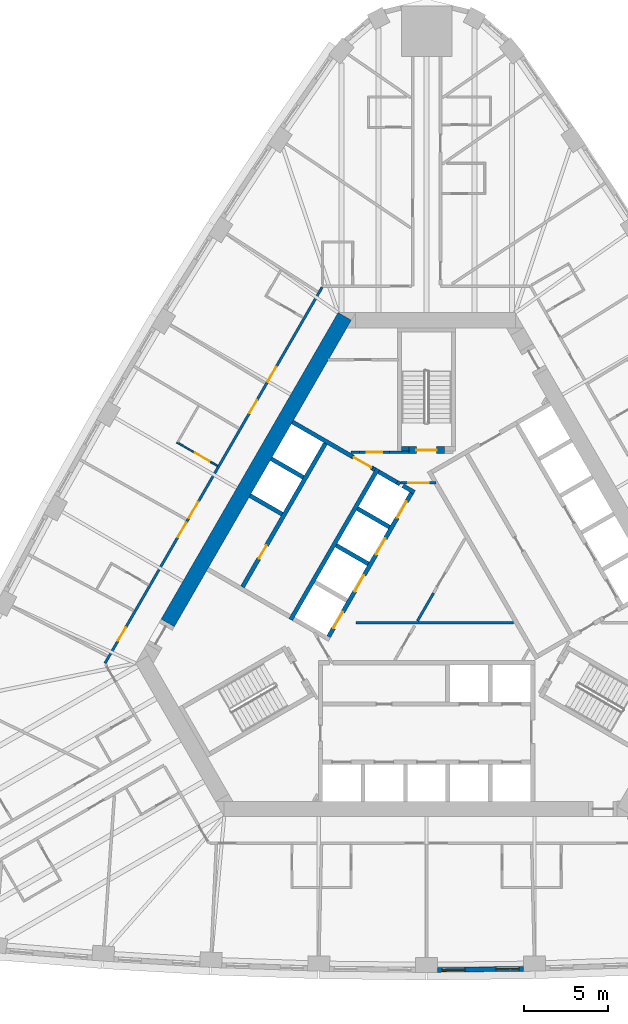
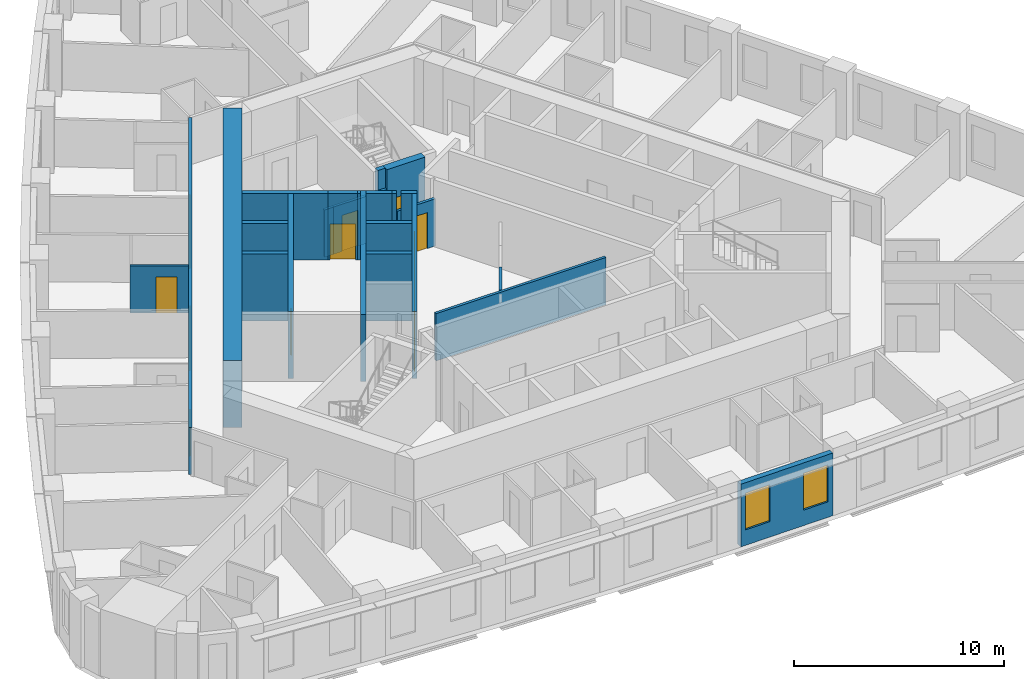
# One storey, part 6 of 13: 25 walls, 15 doors, 2 windows, 17 openings.
"""IFC4 building model written with IfcOpenShell, lengths in metres."""

from ifc_helpers import new_model, si_unit, direction, frame, frame_2d, origin, place, context, subcontext, project, spatial, polyline, rectangle, outline, extrude, material, layer, layer_set, type_object, element, fill, save


model = new_model("IFC4")

# Units and contexts
model_context = context("Model", 3, precision=1e-05, world=origin(), true_north=direction((0.0, 1.0)))
body_context = subcontext(model_context, "Body", "Model", "MODEL_VIEW")
ifc_project = project(units=[si_unit("LENGTHUNIT", "METRE"), si_unit("AREAUNIT", "SQUARE_METRE"), si_unit("VOLUMEUNIT", "CUBIC_METRE"), si_unit("PLANEANGLEUNIT", "RADIAN"), si_unit("MASSUNIT", "GRAM", prefix="KILO")], contexts=[model_context])

# Site, building, storey
site_placement = place(None, origin())
site = spatial("IfcSite", under=ifc_project, at=site_placement, CompositionType="ELEMENT")
building_placement = place(site_placement, origin())
building = spatial("IfcBuilding", under=site, at=building_placement, Name="Mestral Congress Tower", CompositionType="ELEMENT")
storey_placement = place(building_placement, frame((0.0, 0.0, 99.300048828125)))
storey = spatial("IfcBuildingStorey", under=building, at=storey_placement, Name="L23", CompositionType="ELEMENT", Elevation=99.300048828125)

# Walls
ifc_material_1 = material(Name="Fire-rated board partition")
ifc_layer_1 = layer(ifc_material_1, 0.14990234375)
ifc_layer_set_1 = layer_set([ifc_layer_1], Name="Fire-rated board partition")
wall_type_1 = type_object("IfcWallType", Name="Core partition 150", PredefinedType="PARTITIONING", material=ifc_layer_set_1)
wall_1_placement = place(storey_placement, frame((-3.99658203125, 8.625244140625, 0.0), z_axis=(0.0, 0.0, 1.0), x_axis=(-1.0, 0.0, 0.0)))
element("IfcWall", 1, at=wall_1_placement, inside=storey, type_object=wall_type_1, Name="L23 core wall", PredefinedType="PARTITIONING", context=body_context, shape_type="SweptSolid", body=[
    extrude(rectangle(XDim=0.502197265625, YDim=0.14990234375, at=frame_2d((0.2509765625, 0.0))), origin(), (0.0, 0.0, 1.0), 2.75),
])
wall_2_placement = place(storey_placement, frame((-2.1962890625, 8.62548828125, 0.0), z_axis=(0.0, 0.0, 1.0), x_axis=(1.0, 0.0, 0.0)))
element("IfcWall", 2, at=wall_2_placement, inside=storey, type_object=wall_type_1, Name="L23 core wall", PredefinedType="PARTITIONING", context=body_context, shape_type="SweptSolid", body=[
    extrude(rectangle(XDim=1.146240234375, YDim=0.14990234375, at=frame_2d((0.5732421875, 0.0))), origin(), (0.0, 0.0, 1.0), 2.75),
])
wall_3_placement = place(storey_placement, frame((-4.199951171875, -1.5, 0.0), z_axis=(0.0, 0.0, 1.0), x_axis=(1.0, 0.0, 0.0)))
element("IfcWall", 3, at=wall_3_placement, inside=storey, type_object=wall_type_1, Name="L23 core wall", PredefinedType="PARTITIONING", context=body_context, shape_type="SweptSolid", body=[
    extrude(rectangle(XDim=9.359375, YDim=0.14990234375, at=frame_2d((4.6796875, 0.0))), origin(), (0.0, 0.0, 1.0), 2.75),
])
wall_4_placement = place(storey_placement, frame((-0.54443359375, -1.393310546875, 0.0), z_axis=(0.0, 0.0, 1.0), x_axis=(0.499928740635, 0.866066541489, 0.0)))
element("IfcWall", 4, at=wall_4_placement, inside=storey, type_object=wall_type_1, Name="L23 core wall", PredefinedType="PARTITIONING", context=body_context, shape_type="SweptSolid", body=[
    extrude(rectangle(XDim=1.912353515625, YDim=0.14990234375, at=frame_2d((0.9560546875, 0.0))), origin(), (0.0, 0.0, 1.0), 2.75),
])

# Wall, opening, door
wall_5_placement = place(storey_placement, frame((-2.1962890625, 8.625, 0.0), z_axis=(0.0, 0.0, 1.0), x_axis=(-1.0, 0.0, 0.0)))
wall_5 = element("IfcWall", 5, at=wall_5_placement, inside=storey, type_object=wall_type_1, Name="L23 door wall", PredefinedType="PARTITIONING", context=body_context, shape_type="SweptSolid", body=[
    extrude(rectangle(XDim=1.800048828125, YDim=0.14990234375, at=frame_2d((0.89990234375, 0.0))), origin(), (0.0, 0.0, 1.0), 2.75),
])
opening_1_placement = place(wall_5_placement, frame((0.449951171875, 0.0, 0.0)))
opening_1 = element("IfcOpeningElement", 6, at=opening_1_placement, cuts=wall_5, Name="Opening TD2", PredefinedType="OPENING", context=body_context, shape_type="SweptSolid", body=[
    extrude(rectangle(XDim=0.89990234375, YDim=2.10009765625, at=frame_2d((0.449951171875, 1.050048828125))), frame((0.0, 0.0849609375, 0.0), z_axis=(0.0, -1.0, 0.0), x_axis=(1.0, 0.0, 0.0)), (0.0, 0.0, 1.0), 0.169921875),
])
ifc_material_2 = material(Name="Fire-rated steel door set", Category="steel")
door_type_1 = type_object("IfcDoorType", Name="Core door SR 900x2100", OperationType="SINGLE_SWING_LEFT", PredefinedType="DOOR", material=ifc_material_2)
door_1_placement = place(opening_1_placement, origin())
door_1 = element("IfcDoor", 7, at=door_1_placement, inside=storey, type_object=door_type_1, Name="Door TD2", OperationType="SINGLE_SWING_LEFT", OverallHeight=2.10009765625, OverallWidth=0.89990234375, PredefinedType="DOOR", context=body_context, shape_type="SweptSolid", body=[
    extrude(rectangle(XDim=0.89990234375, YDim=2.10009765625, at=frame_2d((0.449951171875, 1.050048828125))), frame((0.0, 0.02490234375, 0.0), z_axis=(0.0, -1.0, 0.0), x_axis=(1.0, 0.0, 0.0)), (0.0, 0.0, 1.0), 0.050048828125),
])
fill(opening_1, door_1)

wall_6_placement = place(storey_placement, frame((-1.534423828125, 6.800048828125, 0.0), z_axis=(0.0, 0.0, 1.0), x_axis=(1.0, 0.0, 0.0)))
wall_6 = element("IfcWall", 8, at=wall_6_placement, inside=storey, type_object=wall_type_1, Name="L23 door wall", PredefinedType="PARTITIONING", context=body_context, shape_type="SweptSolid", body=[
    extrude(rectangle(XDim=2.099853515625, YDim=0.14990234375, at=frame_2d((1.0498046875, 0.0))), origin(), (0.0, 0.0, 1.0), 2.75),
])
opening_2_placement = place(wall_6_placement, frame((0.449951171875, 0.0, 0.0)))
opening_2 = element("IfcOpeningElement", 9, at=opening_2_placement, cuts=wall_6, Name="Opening CD2-FF", PredefinedType="OPENING", context=body_context, shape_type="SweptSolid", body=[
    extrude(rectangle(XDim=1.199951171875, YDim=2.10009765625, at=frame_2d((0.60009765625, 1.050048828125))), frame((0.0, 0.0849609375, 0.0), z_axis=(0.0, -1.0, 0.0), x_axis=(1.0, 0.0, 0.0)), (0.0, 0.0, 1.0), 0.169921875),
])
door_type_2 = type_object("IfcDoorType", Name="Core door CD 1200x2100", OperationType="SINGLE_SWING_LEFT", PredefinedType="DOOR", material=ifc_material_2)
door_2_placement = place(opening_2_placement, origin())
door_2 = element("IfcDoor", 10, at=door_2_placement, inside=storey, type_object=door_type_2, Name="Door CD2-FF", OperationType="SINGLE_SWING_LEFT", OverallHeight=2.10009765625, OverallWidth=1.199951171875, PredefinedType="DOOR", context=body_context, shape_type="SweptSolid", body=[
    extrude(rectangle(XDim=1.199951171875, YDim=2.10009765625, at=frame_2d((0.60009765625, 1.050048828125))), frame((0.0, 0.02490234375, 0.0), z_axis=(0.0, -1.0, 0.0), x_axis=(1.0, 0.0, 0.0)), (0.0, 0.0, 1.0), 0.050048828125),
])
fill(opening_2, door_2)

# Wall
ifc_material_3 = material(Name="Concrete C60/75", Category="concrete")
ifc_layer_2 = layer(ifc_material_3, 0.89990234375)
ifc_layer_set_2 = layer_set([ifc_layer_2], Name="Concrete C60/75")
wall_type_2 = type_object("IfcWallType", Name="Core wall RC 900", PredefinedType="SOLIDWALL", material=ifc_layer_set_2)
wall_7_placement = place(storey_placement, frame((-15.359619140625, -1.50341796875, 0.0), z_axis=(0.0, 0.0, 1.0), x_axis=(0.50000389221, 0.866023156604, 0.0)))
element("IfcWall", 11, at=wall_7_placement, inside=storey, type_object=wall_type_2, Name="L23 core wall", PredefinedType="SOLIDWALL", context=body_context, shape_type="SweptSolid", body=[
    extrude(rectangle(XDim=21.000244140625, YDim=0.89990234375, at=frame_2d((10.5, 0.0))), origin(), (0.0, 0.0, 1.0), 3.89990234375),
])

# Wall, openings, windows
ifc_material_4 = material(Name="Precast concrete C40/50 with limestone facing", Category="masonry")
ifc_layer_3 = layer(ifc_material_4, 0.2900390625)
ifc_layer_set_3 = layer_set([ifc_layer_3], Name="Precast concrete C40/50 with limestone facing")
wall_type_3 = type_object("IfcWallType", Name="Facade stone wall 290", PredefinedType="SOLIDWALL", material=ifc_layer_set_3)
wall_8_placement = place(storey_placement, frame((0.6533203125, -22.091064453125, 0.0), z_axis=(0.0, 0.0, 1.0), x_axis=(0.999931786565, 0.011679992145, 0.0)))
wall_8 = element("IfcWall", 12, at=wall_8_placement, inside=storey, type_object=wall_type_3, Name="Facade wall F0-04", PredefinedType="SOLIDWALL", context=body_context, shape_type="SweptSolid", body=[
    extrude(rectangle(XDim=5.10009765625, YDim=0.2900390625, at=frame_2d((2.550048828125, 0.0))), origin(), (0.0, 0.0, 1.0), 3.64990234375),
])
opening_3_placement = place(wall_8_placement, frame((0.272705078125, 0.0, 0.89990234375)))
opening_3 = element("IfcOpeningElement", 13, at=opening_3_placement, cuts=wall_8, Name="Opening W2", PredefinedType="OPENING", context=body_context, shape_type="SweptSolid", body=[
    extrude(rectangle(XDim=1.35009765625, YDim=2.14990234375, at=frame_2d((0.675048828125, 1.074951171875))), frame((0.0, 0.155029296875, 0.0), z_axis=(0.0, -1.0, 0.0), x_axis=(1.0, 0.0, 0.0)), (0.0, 0.0, 1.0), 0.31005859375),
])
opening_4_placement = place(wall_8_placement, frame((3.477783203125, 0.0, 0.89990234375)))
opening_4 = element("IfcOpeningElement", 14, at=opening_4_placement, cuts=wall_8, Name="Opening W2", PredefinedType="OPENING", context=body_context, shape_type="SweptSolid", body=[
    extrude(rectangle(XDim=1.35009765625, YDim=2.14990234375, at=frame_2d((0.675048828125, 1.074951171875))), frame((0.0, 0.155029296875, 0.0), z_axis=(0.0, -1.0, 0.0), x_axis=(1.0, 0.0, 0.0)), (0.0, 0.0, 1.0), 0.31005859375),
])
ifc_material_5 = material(Name="Clear low-emissivity double glazing", Category="glass")
window_type = type_object("IfcWindowType", Name="Facade punched window 1350 x 2150 sill 900", PartitioningType="DOUBLE_PANEL_VERTICAL", PredefinedType="WINDOW", material=ifc_material_5)
window_1_placement = place(opening_3_placement, origin())
window_1 = element("IfcWindow", 15, at=window_1_placement, inside=storey, type_object=window_type, Name="Window F0-04a", OverallHeight=2.14990234375, OverallWidth=1.35009765625, PartitioningType="DOUBLE_PANEL_VERTICAL", PredefinedType="WINDOW", context=body_context, shape_type="SweptSolid", body=[
    extrude(rectangle(XDim=1.35009765625, YDim=2.14990234375, at=frame_2d((0.675048828125, 1.074951171875))), frame((0.0, 0.01513671875, 0.0), z_axis=(0.0, -1.0, 0.0), x_axis=(1.0, 0.0, 0.0)), (0.0, 0.0, 1.0), 0.06005859375),
])
fill(opening_3, window_1)
window_2_placement = place(opening_4_placement, origin())
window_2 = element("IfcWindow", 16, at=window_2_placement, inside=storey, type_object=window_type, Name="Window F0-04b", OverallHeight=2.14990234375, OverallWidth=1.35009765625, PartitioningType="DOUBLE_PANEL_VERTICAL", PredefinedType="WINDOW", context=body_context, shape_type="SweptSolid", body=[
    extrude(rectangle(XDim=1.35009765625, YDim=2.14990234375, at=frame_2d((0.675048828125, 1.074951171875))), frame((0.0, 0.01513671875, 0.0), z_axis=(0.0, -1.0, 0.0), x_axis=(1.0, 0.0, 0.0)), (0.0, 0.0, 1.0), 0.06005859375),
])
fill(opening_4, window_2)

# Wall, opening, door
ifc_material_6 = material(Name="Gypsum board partition on metal studs with mineral wool", Category="composite")
ifc_layer_4 = layer(ifc_material_6, 0.10009765625)
ifc_layer_set_4 = layer_set([ifc_layer_4], Name="Gypsum board partition on metal studs with mineral wool")
wall_type_4 = type_object("IfcWallType", Name="Hotel partition wall 100", PredefinedType="PARTITIONING", material=ifc_layer_set_4)
wall_9_placement = place(storey_placement, frame((-14.830322265625, 9.213134765625, 0.0), z_axis=(0.0, 0.0, 1.0), x_axis=(0.866034573852, -0.49998411664, 0.0)))
wall_9 = element("IfcWall", 17, at=wall_9_placement, inside=storey, type_object=wall_type_4, Name="L23-h-pod22a", PredefinedType="PARTITIONING", context=body_context, shape_type="SweptSolid", body=[
    extrude(rectangle(XDim=2.7998046875, YDim=0.10009765625, at=frame_2d((1.39990234375, 0.0))), origin(), (0.0, 0.0, 1.0), 2.75),
])
opening_5_placement = place(wall_9_placement, frame((1.25, 0.0, 0.0)))
opening_5 = element("IfcOpeningElement", 18, at=opening_5_placement, cuts=wall_9, Name="Opening H07-042", PredefinedType="OPENING", context=body_context, shape_type="SweptSolid", body=[
    extrude(rectangle(XDim=1.0, YDim=2.10009765625, at=frame_2d((0.5, 1.050048828125))), frame((0.0, 0.06005859375, 0.0), z_axis=(0.0, -1.0, 0.0), x_axis=(1.0, 0.0, 0.0)), (0.0, 0.0, 1.0), 0.1201171875),
])
ifc_material_7 = material(Name="Timber veneer door leaf in timber frame", Category="wood")
door_type_3 = type_object("IfcDoorType", Name="Accessible bathroom door 1000", OperationType="SINGLE_SWING_LEFT", PredefinedType="DOOR", material=ifc_material_7)
door_3_placement = place(opening_5_placement, origin())
door_3 = element("IfcDoor", 19, at=door_3_placement, inside=storey, type_object=door_type_3, Name="L23-h-d042", OperationType="SINGLE_SWING_LEFT", OverallHeight=2.10009765625, OverallWidth=1.0, PredefinedType="DOOR", context=body_context, shape_type="SweptSolid", body=[
    extrude(rectangle(XDim=1.0, YDim=2.10009765625, at=frame_2d((0.5, 1.050048828125))), frame((0.0, 0.02490234375, 0.0), z_axis=(0.0, -1.0, 0.0), x_axis=(1.0, 0.0, 0.0)), (0.0, 0.0, 1.0), 0.050048828125),
])
fill(opening_5, door_3)

# Wall, openings, doors
ifc_layer_5 = layer(ifc_material_6, 0.14990234375)
ifc_layer_set_5 = layer_set([ifc_layer_5], Name="Gypsum board partition on metal studs with mineral wool")
wall_type_5 = type_object("IfcWallType", Name="Hotel partition wall 150", PredefinedType="PARTITIONING", material=ifc_layer_set_5)
wall_10_placement = place(storey_placement, frame((-19.081298828125, -3.89990234375, 0.0), z_axis=(0.0, 0.0, 1.0), x_axis=(0.499998313975, 0.866026377209, 0.0)))
wall_10 = element("IfcWall", 20, at=wall_10_placement, inside=storey, type_object=wall_type_5, Name="L23-h-cw08", PredefinedType="PARTITIONING", context=body_context, shape_type="SweptSolid", body=[
    extrude(rectangle(XDim=25.76611328125, YDim=0.14990234375, at=frame_2d((12.883056640625, 0.0))), origin(), (0.0, 0.0, 1.0), 2.75),
])
opening_6_placement = place(wall_10_placement, frame((19.30615234375, 0.0, 0.0)))
opening_6 = element("IfcOpeningElement", 21, at=opening_6_placement, cuts=wall_10, Name="Opening H07-038", PredefinedType="OPENING", context=body_context, shape_type="SweptSolid", body=[
    extrude(rectangle(XDim=1.0, YDim=2.10009765625, at=frame_2d((0.5, 1.050048828125))), frame((0.0, 0.0849609375, 0.0), z_axis=(0.0, -1.0, 0.0), x_axis=(1.0, 0.0, 0.0)), (0.0, 0.0, 1.0), 0.169921875),
])
opening_7_placement = place(wall_10_placement, frame((17.143798828125, 0.0, 0.0)))
opening_7 = element("IfcOpeningElement", 22, at=opening_7_placement, cuts=wall_10, Name="Opening H07-040", PredefinedType="OPENING", context=body_context, shape_type="SweptSolid", body=[
    extrude(rectangle(XDim=0.89990234375, YDim=2.10009765625, at=frame_2d((0.449951171875, 1.050048828125))), frame((0.0, 0.0849609375, 0.0), z_axis=(0.0, -1.0, 0.0), x_axis=(1.0, 0.0, 0.0)), (0.0, 0.0, 1.0), 0.169921875),
])
opening_8_placement = place(wall_10_placement, frame((9.955078125, 0.0, 0.0)))
opening_8 = element("IfcOpeningElement", 23, at=opening_8_placement, cuts=wall_10, Name="Opening H07-041", PredefinedType="OPENING", context=body_context, shape_type="SweptSolid", body=[
    extrude(rectangle(XDim=1.10009765625, YDim=2.10009765625, at=frame_2d((0.550048828125, 1.050048828125))), frame((0.0, 0.0849609375, 0.0), z_axis=(0.0, -1.0, 0.0), x_axis=(1.0, 0.0, 0.0)), (0.0, 0.0, 1.0), 0.169921875),
])
opening_9_placement = place(wall_10_placement, frame((8.647705078125, 0.0, 0.0)))
opening_9 = element("IfcOpeningElement", 24, at=opening_9_placement, cuts=wall_10, Name="Opening H07-043", PredefinedType="OPENING", context=body_context, shape_type="SweptSolid", body=[
    extrude(rectangle(XDim=1.0, YDim=2.10009765625, at=frame_2d((0.5, 1.050048828125))), frame((0.0, 0.0849609375, 0.0), z_axis=(0.0, -1.0, 0.0), x_axis=(1.0, 0.0, 0.0)), (0.0, 0.0, 1.0), 0.169921875),
])
opening_10_placement = place(wall_10_placement, frame((1.553466796875, 0.0, 0.0)))
opening_10 = element("IfcOpeningElement", 25, at=opening_10_placement, cuts=wall_10, Name="Opening H07-045", PredefinedType="OPENING", context=body_context, shape_type="SweptSolid", body=[
    extrude(rectangle(XDim=0.89990234375, YDim=2.10009765625, at=frame_2d((0.449951171875, 1.050048828125))), frame((0.0, 0.0849609375, 0.0), z_axis=(0.0, -1.0, 0.0), x_axis=(1.0, 0.0, 0.0)), (0.0, 0.0, 1.0), 0.169921875),
])
ifc_material_8 = material(Name="Timber veneer door leaf in metal frame", Category="wood")
door_type_4 = type_object("IfcDoorType", Name="Accessible room entrance door 1100", OperationType="SINGLE_SWING_LEFT", PredefinedType="DOOR", material=ifc_material_8)
door_4_placement = place(opening_8_placement, origin())
door_4 = element("IfcDoor", 26, at=door_4_placement, inside=storey, type_object=door_type_4, Name="L23-h-d041", OperationType="SINGLE_SWING_LEFT", OverallHeight=2.10009765625, OverallWidth=1.10009765625, PredefinedType="DOOR", context=body_context, shape_type="SweptSolid", body=[
    extrude(rectangle(XDim=1.10009765625, YDim=2.10009765625, at=frame_2d((0.550048828125, 1.050048828125))), frame((0.0, 0.02490234375, 0.0), z_axis=(0.0, -1.0, 0.0), x_axis=(1.0, 0.0, 0.0)), (0.0, 0.0, 1.0), 0.050048828125),
])
fill(opening_8, door_4)
door_type_5 = type_object("IfcDoorType", Name="Guest room entrance door 1000", OperationType="SINGLE_SWING_LEFT", PredefinedType="DOOR", material=ifc_material_8)
door_5_placement = place(opening_6_placement, origin())
door_5 = element("IfcDoor", 27, at=door_5_placement, inside=storey, type_object=door_type_5, Name="L23-h-d038", OperationType="SINGLE_SWING_LEFT", OverallHeight=2.10009765625, OverallWidth=1.0, PredefinedType="DOOR", context=body_context, shape_type="SweptSolid", body=[
    extrude(rectangle(XDim=1.0, YDim=2.10009765625, at=frame_2d((0.5, 1.050048828125))), frame((0.0, 0.02490234375, 0.0), z_axis=(0.0, -1.0, 0.0), x_axis=(1.0, 0.0, 0.0)), (0.0, 0.0, 1.0), 0.050048828125),
])
fill(opening_6, door_5)
door_6_placement = place(opening_9_placement, origin())
door_6 = element("IfcDoor", 28, at=door_6_placement, inside=storey, type_object=door_type_5, Name="L23-h-d043", OperationType="SINGLE_SWING_RIGHT", OverallHeight=2.10009765625, OverallWidth=1.0, PredefinedType="DOOR", context=body_context, shape_type="SweptSolid", body=[
    extrude(rectangle(XDim=1.0, YDim=2.10009765625, at=frame_2d((0.5, 1.050048828125))), frame((0.0, 0.02490234375, 0.0), z_axis=(0.0, -1.0, 0.0), x_axis=(1.0, 0.0, 0.0)), (0.0, 0.0, 1.0), 0.050048828125),
])
fill(opening_9, door_6)
door_type_6 = type_object("IfcDoorType", Name="Service room door 900", OperationType="SINGLE_SWING_LEFT", PredefinedType="DOOR", material=ifc_material_8)
door_7_placement = place(opening_7_placement, origin())
door_7 = element("IfcDoor", 29, at=door_7_placement, inside=storey, type_object=door_type_6, Name="L23-h-d040", OperationType="SINGLE_SWING_LEFT", OverallHeight=2.10009765625, OverallWidth=0.89990234375, PredefinedType="DOOR", context=body_context, shape_type="SweptSolid", body=[
    extrude(rectangle(XDim=0.89990234375, YDim=2.10009765625, at=frame_2d((0.449951171875, 1.050048828125))), frame((0.0, 0.02490234375, 0.0), z_axis=(0.0, -1.0, 0.0), x_axis=(1.0, 0.0, 0.0)), (0.0, 0.0, 1.0), 0.050048828125),
])
fill(opening_7, door_7)
door_8_placement = place(opening_10_placement, origin())
door_8 = element("IfcDoor", 30, at=door_8_placement, inside=storey, type_object=door_type_6, Name="L23-h-d045", OperationType="SINGLE_SWING_RIGHT", OverallHeight=2.10009765625, OverallWidth=0.89990234375, PredefinedType="DOOR", context=body_context, shape_type="SweptSolid", body=[
    extrude(rectangle(XDim=0.89990234375, YDim=2.10009765625, at=frame_2d((0.449951171875, 1.050048828125))), frame((0.0, 0.02490234375, 0.0), z_axis=(0.0, -1.0, 0.0), x_axis=(1.0, 0.0, 0.0)), (0.0, 0.0, 1.0), 0.050048828125),
])
fill(opening_10, door_8)

# Walls
ifc_layer_6 = layer(ifc_material_3, 0.25)
ifc_layer_set_6 = layer_set([ifc_layer_6], Name="Concrete C60/75")
wall_type_6 = type_object("IfcWallType", Name="Shaft wall RC 250", PredefinedType="SOLIDWALL", material=ifc_layer_set_6)
wall_11_placement = place(storey_placement, frame((-8.06005859375, -1.310546875, 0.0), z_axis=(0.0, 0.0, 1.0), x_axis=(0.50000273126, 0.866023826885, 0.0)))
element("IfcWall", 31, at=wall_11_placement, inside=storey, type_object=wall_type_6, Name="L23 core wall", PredefinedType="SOLIDWALL", context=body_context, shape_type="SweptSolid", body=[
    extrude(rectangle(XDim=10.330078125, YDim=0.25, at=frame_2d((5.1650390625, 0.0))), origin(), (0.0, 0.0, 1.0), 3.89990234375),
])
wall_12_placement = place(storey_placement, frame((-1.75830078125, 6.834716796875, 0.0), z_axis=(0.0, 0.0, 1.0), x_axis=(0.865982457891, -0.500074377092, 0.0)))
element("IfcWall", 32, at=wall_12_placement, inside=storey, type_object=wall_type_6, Name="L23 core wall", PredefinedType="SOLIDWALL", context=body_context, shape_type="SweptSolid", body=[
    extrude(rectangle(XDim=0.2001953125, YDim=0.25, at=frame_2d((0.10009765625, 0.0))), origin(), (0.0, 0.0, 1.0), 3.89990234375),
])
wall_13_placement = place(storey_placement, frame((-1.760009765625, 6.835693359375, 0.0), z_axis=(0.0, 0.0, 1.0), x_axis=(-0.865952863304, 0.500125622755, 0.0)))
element("IfcWall", 33, at=wall_13_placement, inside=storey, type_object=wall_type_6, Name="L23 core wall", PredefinedType="SOLIDWALL", context=body_context, shape_type="SweptSolid", body=[
    extrude(rectangle(XDim=1.258056640625, YDim=0.25, at=frame_2d((0.62890625, 0.0))), origin(), (0.0, 0.0, 1.0), 3.89990234375),
])
wall_14_placement = place(storey_placement, frame((-0.7275390625, 6.23974609375, 0.0), z_axis=(0.0, 0.0, 1.0), x_axis=(-0.865955664968, 0.500120771724, 0.0)))
element("IfcWall", 34, at=wall_14_placement, inside=storey, type_object=wall_type_6, Name="L23 core wall", PredefinedType="SOLIDWALL", context=body_context, shape_type="SweptSolid", body=[
    extrude(rectangle(XDim=0.778076171875, YDim=0.25, at=frame_2d((0.38916015625, 0.0))), origin(), (0.0, 0.0, 1.0), 3.89990234375),
])
for number, where, z_axis, x_axis, name in (
    (35, (-2.2041015625, 4.182373046875, 0.0), (0.0, 0.0, 1.0), (-0.866008176907, 0.50002983664, 0.0), "L23 core wall"),
    (36, (-5.369384765625, 3.10009765625, 0.0), (0.0, 0.0, 1.0), (0.866008176907, -0.50002983664, 0.0), "L23 core wall"),
):
    element("IfcWall", number, at=place(storey_placement, frame(where, z_axis=z_axis, x_axis=x_axis)), inside=storey, type_object=wall_type_6, Name=name, PredefinedType="SOLIDWALL", context=body_context, shape_type="SweptSolid", body=[
        extrude(rectangle(XDim=2.199951171875, YDim=0.25, at=frame_2d((1.10009765625, 0.0))), origin(), (0.0, 0.0, 1.0), 3.89990234375),
    ])
wall_15_placement = place(storey_placement, origin())
element("IfcWall", 37, at=wall_15_placement, inside=storey, type_object=wall_type_6, Name="L23 core wall", PredefinedType="SOLIDWALL", context=body_context, shape_type="SweptSolid", body=[
    extrude(outline(polyline([(-3.12841796875, 7.4814453125), (-3.2587890625, 7.556640625), (-3.1337890625, 7.773193359375), (-3.00341796875, 7.697998046875), (-3.12841796875, 7.4814453125)])), origin(), (0.0, 0.0, 1.0), 3.89990234375),
])
for number, where, z_axis, x_axis, name in (
    (38, (-8.57373046875, 4.949951171875, 0.0), (0.0, 0.0, 1.0), (-0.866008176907, 0.50002983664, 0.0), "L23 core wall"),
    (39, (-7.313720703125, 7.13232421875, 0.0), (0.0, 0.0, 1.0), (-0.866008176907, 0.50002983664, 0.0), "L23 core wall"),
):
    element("IfcWall", number, at=place(storey_placement, frame(where, z_axis=z_axis, x_axis=x_axis)), inside=storey, type_object=wall_type_6, Name=name, PredefinedType="SOLIDWALL", context=body_context, shape_type="SweptSolid", body=[
        extrude(rectangle(XDim=2.199951171875, YDim=0.25, at=frame_2d((1.10009765625, 0.0))), origin(), (0.0, 0.0, 1.0), 3.89990234375),
    ])
wall_16_placement = place(storey_placement, frame((-7.958984375, 10.414794921875, 0.0), z_axis=(0.0, 0.0, 1.0), x_axis=(0.866020958405, -0.500007699544, 0.0)))
element("IfcWall", 40, at=wall_16_placement, inside=storey, type_object=wall_type_6, Name="L23 core wall", PredefinedType="SOLIDWALL", context=body_context, shape_type="SweptSolid", body=[
    extrude(rectangle(XDim=4.099609375, YDim=0.25, at=frame_2d((2.0498046875, 0.0))), origin(), (0.0, 0.0, 1.0), 3.89990234375),
])

# Wall, opening, door
wall_17_placement = place(storey_placement, frame((-6.0078125, 9.14404296875, 0.0), z_axis=(0.0, 0.0, 1.0), x_axis=(-0.500006956611, -0.866021387346, 0.0)))
wall_17 = element("IfcWall", 41, at=wall_17_placement, inside=storey, type_object=wall_type_6, Name="L23 door wall", PredefinedType="SOLIDWALL", context=body_context, shape_type="SweptSolid", body=[
    extrude(rectangle(XDim=9.829833984375, YDim=0.25, at=frame_2d((4.9150390625, 0.0))), origin(), (0.0, 0.0, 1.0), 3.89990234375),
])
opening_11_placement = place(wall_17_placement, frame((6.985107421875, 0.0, 0.0)))
opening_11 = element("IfcOpeningElement", 42, at=opening_11_placement, cuts=wall_17, Name="Opening SR-NWA2", PredefinedType="OPENING", context=body_context, shape_type="SweptSolid", body=[
    extrude(rectangle(XDim=0.89990234375, YDim=2.10009765625, at=frame_2d((0.449951171875, 1.050048828125))), frame((0.0, 0.135009765625, 0.0), z_axis=(0.0, -1.0, 0.0), x_axis=(1.0, 0.0, 0.0)), (0.0, 0.0, 1.0), 0.27001953125),
])
door_9_placement = place(opening_11_placement, origin())
door_9 = element("IfcDoor", 43, at=door_9_placement, inside=storey, type_object=door_type_1, Name="Door SR-NWA2", OperationType="SINGLE_SWING_LEFT", OverallHeight=2.10009765625, OverallWidth=0.89990234375, PredefinedType="DOOR", context=body_context, shape_type="SweptSolid", body=[
    extrude(rectangle(XDim=0.89990234375, YDim=2.10009765625, at=frame_2d((0.449951171875, 1.050048828125))), frame((0.0, 0.02490234375, 0.0), z_axis=(0.0, -1.0, 0.0), x_axis=(1.0, 0.0, 0.0)), (0.0, 0.0, 1.0), 0.050048828125),
])
fill(opening_11, door_9)

# Wall, openings, doors
wall_18_placement = place(storey_placement, frame((-0.898193359375, 6.194091796875, 0.0), z_axis=(0.0, 0.0, 1.0), x_axis=(-0.499996202215, -0.866027596426, 0.0)))
wall_18 = element("IfcWall", 44, at=wall_18_placement, inside=storey, type_object=wall_type_6, Name="L23 door wall", PredefinedType="SOLIDWALL", context=body_context, shape_type="SweptSolid", body=[
    extrude(rectangle(XDim=9.830078125, YDim=0.25, at=frame_2d((4.9150390625, 0.0))), origin(), (0.0, 0.0, 1.0), 3.89990234375),
])
opening_12_placement = place(wall_18_placement, frame((0.5849609375, 0.0, 0.0)))
opening_12 = element("IfcOpeningElement", 45, at=opening_12_placement, cuts=wall_18, Name="Opening LD-NWB1", PredefinedType="OPENING", context=body_context, shape_type="SweptSolid", body=[
    extrude(rectangle(XDim=1.10009765625, YDim=2.10009765625, at=frame_2d((0.550048828125, 1.050048828125))), frame((0.0, 0.135009765625, 0.0), z_axis=(0.0, -1.0, 0.0), x_axis=(1.0, 0.0, 0.0)), (0.0, 0.0, 1.0), 0.27001953125),
])
opening_13_placement = place(wall_18_placement, frame((3.10498046875, 0.0, 0.0)))
opening_13 = element("IfcOpeningElement", 46, at=opening_13_placement, cuts=wall_18, Name="Opening LD-NWB2", PredefinedType="OPENING", context=body_context, shape_type="SweptSolid", body=[
    extrude(rectangle(XDim=1.10009765625, YDim=2.10009765625, at=frame_2d((0.550048828125, 1.050048828125))), frame((0.0, 0.135009765625, 0.0), z_axis=(0.0, -1.0, 0.0), x_axis=(1.0, 0.0, 0.0)), (0.0, 0.0, 1.0), 0.27001953125),
])
opening_14_placement = place(wall_18_placement, frame((5.625, 0.0, 0.0)))
opening_14 = element("IfcOpeningElement", 47, at=opening_14_placement, cuts=wall_18, Name="Opening LD-NWB3", PredefinedType="OPENING", context=body_context, shape_type="SweptSolid", body=[
    extrude(rectangle(XDim=1.10009765625, YDim=2.10009765625, at=frame_2d((0.550048828125, 1.050048828125))), frame((0.0, 0.135009765625, 0.0), z_axis=(0.0, -1.0, 0.0), x_axis=(1.0, 0.0, 0.0)), (0.0, 0.0, 1.0), 0.27001953125),
])
opening_15_placement = place(wall_18_placement, frame((8.14501953125, 0.0, 0.0)))
opening_15 = element("IfcOpeningElement", 48, at=opening_15_placement, cuts=wall_18, Name="Opening LD-NWB4", PredefinedType="OPENING", context=body_context, shape_type="SweptSolid", body=[
    extrude(rectangle(XDim=1.10009765625, YDim=2.10009765625, at=frame_2d((0.550048828125, 1.050048828125))), frame((0.0, 0.135009765625, 0.0), z_axis=(0.0, -1.0, 0.0), x_axis=(1.0, 0.0, 0.0)), (0.0, 0.0, 1.0), 0.27001953125),
])
door_type_7 = type_object("IfcDoorType", Name="Core door LD 1100x2100", OperationType="DOUBLE_DOOR_SLIDING", PredefinedType="DOOR", material=ifc_material_2)
door_10_placement = place(opening_12_placement, origin())
door_10 = element("IfcDoor", 49, at=door_10_placement, inside=storey, type_object=door_type_7, Name="Door LD-NWB1", OperationType="DOUBLE_DOOR_SLIDING", OverallHeight=2.10009765625, OverallWidth=1.10009765625, PredefinedType="DOOR", context=body_context, shape_type="SweptSolid", body=[
    extrude(rectangle(XDim=1.10009765625, YDim=2.10009765625, at=frame_2d((0.550048828125, 1.050048828125))), frame((0.0, 0.02490234375, 0.0), z_axis=(0.0, -1.0, 0.0), x_axis=(1.0, 0.0, 0.0)), (0.0, 0.0, 1.0), 0.050048828125),
])
fill(opening_12, door_10)
door_11_placement = place(opening_13_placement, origin())
door_11 = element("IfcDoor", 50, at=door_11_placement, inside=storey, type_object=door_type_7, Name="Door LD-NWB2", OperationType="DOUBLE_DOOR_SLIDING", OverallHeight=2.10009765625, OverallWidth=1.10009765625, PredefinedType="DOOR", context=body_context, shape_type="SweptSolid", body=[
    extrude(rectangle(XDim=1.10009765625, YDim=2.10009765625, at=frame_2d((0.550048828125, 1.050048828125))), frame((0.0, 0.02490234375, 0.0), z_axis=(0.0, -1.0, 0.0), x_axis=(1.0, 0.0, 0.0)), (0.0, 0.0, 1.0), 0.050048828125),
])
fill(opening_13, door_11)
door_12_placement = place(opening_14_placement, origin())
door_12 = element("IfcDoor", 51, at=door_12_placement, inside=storey, type_object=door_type_7, Name="Door LD-NWB3", OperationType="DOUBLE_DOOR_SLIDING", OverallHeight=2.10009765625, OverallWidth=1.10009765625, PredefinedType="DOOR", context=body_context, shape_type="SweptSolid", body=[
    extrude(rectangle(XDim=1.10009765625, YDim=2.10009765625, at=frame_2d((0.550048828125, 1.050048828125))), frame((0.0, 0.02490234375, 0.0), z_axis=(0.0, -1.0, 0.0), x_axis=(1.0, 0.0, 0.0)), (0.0, 0.0, 1.0), 0.050048828125),
])
fill(opening_14, door_12)
door_13_placement = place(opening_15_placement, origin())
door_13 = element("IfcDoor", 52, at=door_13_placement, inside=storey, type_object=door_type_7, Name="Door LD-NWB4", OperationType="DOUBLE_DOOR_SLIDING", OverallHeight=2.10009765625, OverallWidth=1.10009765625, PredefinedType="DOOR", context=body_context, shape_type="SweptSolid", body=[
    extrude(rectangle(XDim=1.10009765625, YDim=2.10009765625, at=frame_2d((0.550048828125, 1.050048828125))), frame((0.0, 0.02490234375, 0.0), z_axis=(0.0, -1.0, 0.0), x_axis=(1.0, 0.0, 0.0)), (0.0, 0.0, 1.0), 0.050048828125),
])
fill(opening_15, door_13)

# Wall, opening, door
wall_19_placement = place(storey_placement, frame((-4.40869140625, 8.364990234375, 0.0), z_axis=(0.0, 0.0, 1.0), x_axis=(0.866034573852, -0.49998411664, 0.0)))
wall_19 = element("IfcWall", 53, at=wall_19_placement, inside=storey, type_object=wall_type_6, Name="L23 door wall", PredefinedType="SOLIDWALL", context=body_context, shape_type="SweptSolid", body=[
    extrude(rectangle(XDim=1.39990234375, YDim=0.25, at=frame_2d((0.699951171875, 0.0))), origin(), (0.0, 0.0, 1.0), 3.89990234375),
])
opening_16_placement = place(wall_19_placement, frame((0.10009765625, 0.0, 0.0)))
opening_16 = element("IfcOpeningElement", 54, at=opening_16_placement, cuts=wall_19, Name="Opening LB2-WL2", PredefinedType="OPENING", context=body_context, shape_type="SweptSolid", body=[
    extrude(rectangle(XDim=1.199951171875, YDim=2.10009765625, at=frame_2d((0.60009765625, 1.050048828125))), frame((0.0, 0.135009765625, 0.0), z_axis=(0.0, -1.0, 0.0), x_axis=(1.0, 0.0, 0.0)), (0.0, 0.0, 1.0), 0.27001953125),
])
door_type_8 = type_object("IfcDoorType", Name="Core door LB 1200x2100", OperationType="SINGLE_SWING_LEFT", PredefinedType="DOOR", material=ifc_material_2)
door_14_placement = place(opening_16_placement, origin())
door_14 = element("IfcDoor", 55, at=door_14_placement, inside=storey, type_object=door_type_8, Name="Door LB2-WL2", OperationType="SINGLE_SWING_LEFT", OverallHeight=2.10009765625, OverallWidth=1.199951171875, PredefinedType="DOOR", context=body_context, shape_type="SweptSolid", body=[
    extrude(rectangle(XDim=1.199951171875, YDim=2.10009765625, at=frame_2d((0.60009765625, 1.050048828125))), frame((0.0, 0.02490234375, 0.0), z_axis=(0.0, -1.0, 0.0), x_axis=(1.0, 0.0, 0.0)), (0.0, 0.0, 1.0), 0.050048828125),
])
fill(opening_16, door_14)

# Wall
ifc_layer_7 = layer(ifc_material_3, 0.25)
ifc_layer_set_7 = layer_set([ifc_layer_7], Name="Concrete C60/75")
wall_type_7 = type_object("IfcWallType", Name="Stair wall RC 250", PredefinedType="SOLIDWALL", material=ifc_layer_set_7)
wall_20_placement = place(storey_placement, frame((-1.47509765625, 8.824951171875, 0.0), z_axis=(0.0, 0.0, 1.0), x_axis=(1.0, 0.0, 0.0)))
element("IfcWall", 56, at=wall_20_placement, inside=storey, type_object=wall_type_7, Name="L23 core wall", PredefinedType="SOLIDWALL", context=body_context, shape_type="SweptSolid", body=[
    extrude(rectangle(XDim=0.425048828125, YDim=0.25, at=frame_2d((0.21240234375, 0.0))), origin(), (0.0, 0.0, 1.0), 3.89990234375),
])

# Wall, opening, door
ifc_layer_8 = layer(ifc_material_3, 0.39990234375)
ifc_layer_set_8 = layer_set([ifc_layer_8], Name="Concrete C60/75")
wall_type_8 = type_object("IfcWallType", Name="Stair wall RC 250 door-wall 400", PredefinedType="SOLIDWALL", material=ifc_layer_set_8)
wall_21_placement = place(storey_placement, frame((1.050048828125, 8.75, 0.0), z_axis=(0.0, 0.0, 1.0), x_axis=(-1.0, 0.0, 0.0)))
wall_21 = element("IfcWall", 57, at=wall_21_placement, inside=storey, type_object=wall_type_8, Name="L23 door wall", PredefinedType="SOLIDWALL", context=body_context, shape_type="SweptSolid", body=[
    extrude(rectangle(XDim=2.10009765625, YDim=0.39990234375, at=frame_2d((1.050048828125, 0.0))), origin(), (0.0, 0.0, 1.0), 3.89990234375),
])
opening_17_placement = place(wall_21_placement, frame((0.449951171875, 0.0, 0.0)))
opening_17 = element("IfcOpeningElement", 58, at=opening_17_placement, cuts=wall_21, Name="Opening ST-D2", PredefinedType="OPENING", context=body_context, shape_type="SweptSolid", body=[
    extrude(rectangle(XDim=1.199951171875, YDim=2.10009765625, at=frame_2d((0.60009765625, 1.050048828125))), frame((0.0, 0.2099609375, 0.0), z_axis=(0.0, -1.0, 0.0), x_axis=(1.0, 0.0, 0.0)), (0.0, 0.0, 1.0), 0.419921875),
])
door_type_9 = type_object("IfcDoorType", Name="Core door ST 1200x2100", OperationType="SINGLE_SWING_LEFT", PredefinedType="DOOR", material=ifc_material_2)
door_15_placement = place(opening_17_placement, origin())
door_15 = element("IfcDoor", 59, at=door_15_placement, inside=storey, type_object=door_type_9, Name="Door ST-D2", OperationType="SINGLE_SWING_LEFT", OverallHeight=2.10009765625, OverallWidth=1.199951171875, PredefinedType="DOOR", context=body_context, shape_type="SweptSolid", body=[
    extrude(rectangle(XDim=1.199951171875, YDim=2.10009765625, at=frame_2d((0.60009765625, 1.050048828125))), frame((0.0, 0.02490234375, 0.0), z_axis=(0.0, -1.0, 0.0), x_axis=(1.0, 0.0, 0.0)), (0.0, 0.0, 1.0), 0.050048828125),
])
fill(opening_17, door_15)

save(model, "model.ifc")
